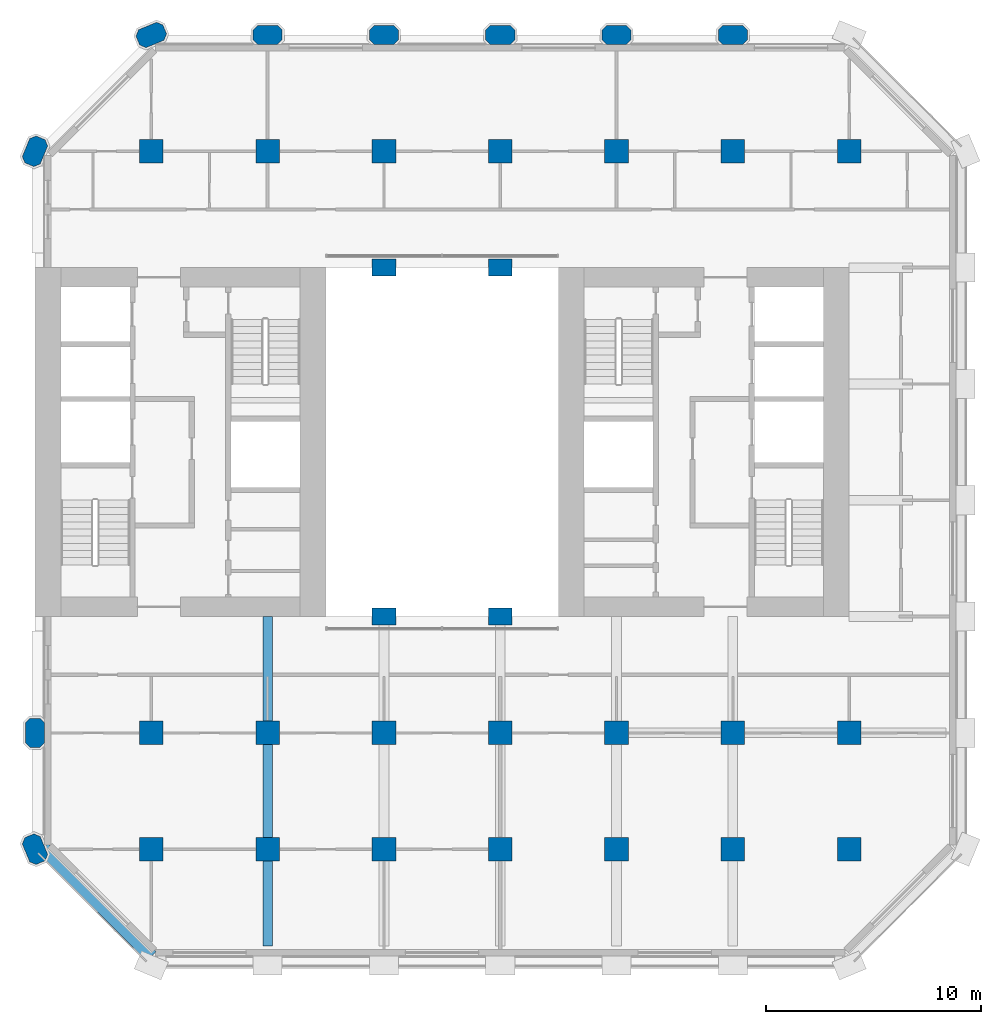
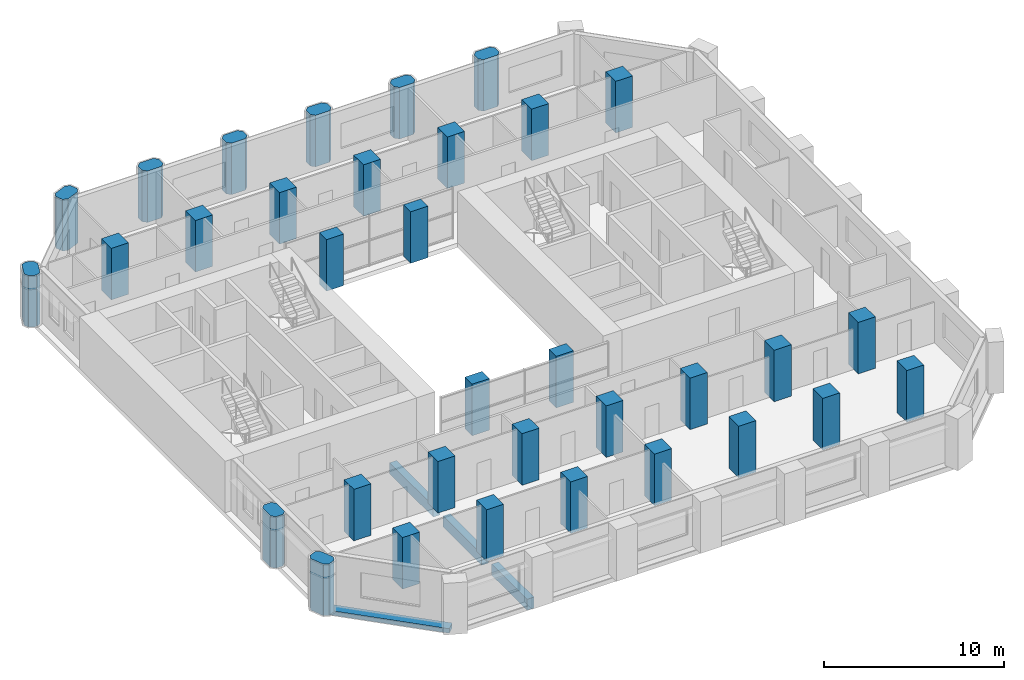
# One storey, part 1 of 13: 34 columns, 4 beams.
"""IFC4 building model written with IfcOpenShell, lengths in metres."""

import ifcopenshell
import ifcopenshell.guid

model = None  # the IFC model being written
_history = None  # IfcOwnerHistory: only IFC2X3 demands one
_inside = {}  # id of a spatial element -> (the spatial element, [elements in it])
_under = {}  # id of a project, library or spatial element -> (it, [spatial elements below it])
_declared = {}  # id of a project -> (the project, [libraries it declares])
_typed = {}  # id of a type object -> (the type object, [elements of that type])
_made_of = {}  # id of a material, layer set ... -> (it, [elements and type objects made of it])


def new_model(schema):
    """Start an empty IFC model of exactly this schema.

    Asked for "IFC4X3", IfcOpenShell would pick the latest addendum, in which some entities
    have other attributes; the version numbers below select the first issue.
    IFC2X3 requires an IfcOwnerHistory on every rooted entity: one is made here for all.
    """
    global model, _history
    if schema == "IFC4X3":
        model = ifcopenshell.file(schema_version=(4, 3, 0, 0))
    else:
        model = ifcopenshell.file(schema=schema)
    _inside.clear()
    _under.clear()
    _declared.clear()
    _typed.clear()
    _made_of.clear()
    _history = None
    if model.schema == "IFC2X3":
        org = make("IfcOrganization", Name="unknown")
        user = make(
            "IfcPersonAndOrganization",
            ThePerson=make("IfcPerson", FamilyName="unknown"),
            TheOrganization=org,
        )
        app = make(
            "IfcApplication",
            ApplicationDeveloper=org,
            Version="unknown",
            ApplicationFullName="unknown",
            ApplicationIdentifier="unknown",
        )
        _history = make(
            "IfcOwnerHistory",
            OwningUser=user,
            OwningApplication=app,
            ChangeAction="ADDED",
            CreationDate=0,
        )
    return model


def make(cls, **values):
    """One entity of the class cls with the attributes given. An attribute that is None is left unset."""
    return model.create_entity(
        cls, **{name: value for name, value in values.items() if value is not None}
    )


def rooted(cls, **values):
    """An entity with a GlobalId (a new one), such as an element, a storey or a relation."""
    return make(cls, GlobalId=ifcopenshell.guid.new(), OwnerHistory=_history, **values)


def si_unit(unit_type, name, prefix=None):
    """IfcSIUnit, for example si_unit("LENGTHUNIT", "METRE", prefix="MILLI")."""
    return make("IfcSIUnit", UnitType=unit_type, Prefix=prefix, Name=name)


def assignment(units):
    """IfcUnitAssignment: the units of a project."""
    return None if units is None else make("IfcUnitAssignment", Units=units)


def point(xyz):
    """IfcCartesianPoint."""
    return None if xyz is None else make("IfcCartesianPoint", Coordinates=xyz)


def direction(xyz):
    """IfcDirection."""
    return None if xyz is None else make("IfcDirection", DirectionRatios=xyz)


def frame(location, z_axis=None, x_axis=None):
    """IfcAxis2Placement3D, a coordinate frame: its origin and axes. An axis left out is left unset."""
    return make(
        "IfcAxis2Placement3D",
        Location=point(location),
        Axis=direction(z_axis),
        RefDirection=direction(x_axis),
    )


def frame_2d(location, x_axis=None):
    """IfcAxis2Placement2D, a coordinate frame in the plane: its origin and x axis."""
    return make(
        "IfcAxis2Placement2D", Location=point(location), RefDirection=direction(x_axis)
    )


def origin():
    """The frame at (0, 0, 0) with its axes left unset."""
    return frame((0.0, 0.0, 0.0))


def origin_2d():
    """The frame at (0, 0) in the plane with its x axis left unset."""
    return frame_2d((0.0, 0.0))


def place(relative_to, where):
    """IfcLocalPlacement: puts the frame where relative to a parent placement (None: the world)."""
    return make(
        "IfcLocalPlacement", PlacementRelTo=relative_to, RelativePlacement=where
    )


def context(
    kind, dimensions, precision=None, world=None, true_north=None, identifier=None
):
    """IfcGeometricRepresentationContext, for example the 3D "Model" context."""
    return make(
        "IfcGeometricRepresentationContext",
        ContextIdentifier=identifier,
        ContextType=kind,
        CoordinateSpaceDimension=dimensions,
        Precision=precision,
        WorldCoordinateSystem=world,
        TrueNorth=true_north,
    )


def subcontext(parent, identifier, kind, view, scale=None):
    """IfcGeometricRepresentationSubContext, for example "Body" below "Model"."""
    return make(
        "IfcGeometricRepresentationSubContext",
        ContextIdentifier=identifier,
        ContextType=kind,
        ParentContext=parent,
        TargetScale=scale,
        TargetView=view,
    )


def project(units=None, contexts=None):
    """IfcProject with its units and contexts."""
    return rooted(
        "IfcProject",
        Name="project",
        RepresentationContexts=contexts,
        UnitsInContext=assignment(units),
    )


def spatial(cls, under=None, at=None, **own):
    """A site, building, storey or space (cls), placed at a placement, below another one or the project."""
    s = rooted(cls, ObjectPlacement=at, **own)
    if under is not None:
        _under.setdefault(under.id(), (under, []))[1].append(s)
    return s


def polyline(points):
    """IfcPolyline through the points."""
    return make("IfcPolyline", Points=[point(p) for p in points])


def profile(cls, at=None, kind="AREA", **sizes):
    """A parametric profile (cls). Its sizes go by their IFC names, for example OverallWidth=200.0."""
    return make(cls, ProfileType=kind, Position=at, **sizes)


def rectangle(**sizes):
    """IfcRectangleProfileDef."""
    return profile("IfcRectangleProfileDef", **sizes)


def outline(outer, holes=None, kind="AREA"):
    """IfcArbitraryClosedProfileDef: a profile drawn as a closed curve; with holes, ...WithVoids."""
    if holes is None:
        return make("IfcArbitraryClosedProfileDef", ProfileType=kind, OuterCurve=outer)
    return make(
        "IfcArbitraryProfileDefWithVoids",
        ProfileType=kind,
        OuterCurve=outer,
        InnerCurves=holes,
    )


def extrude(swept, where, along, depth):
    """IfcExtrudedAreaSolid: the profile swept, set in the frame where, extruded along a direction by depth."""
    return make(
        "IfcExtrudedAreaSolid",
        SweptArea=swept,
        Position=where,
        ExtrudedDirection=direction(along),
        Depth=depth,
    )


def shape(context_of_items, identifier, shape_type, items):
    """IfcShapeRepresentation: the items that make up one representation, for example the "Body"."""
    return make(
        "IfcShapeRepresentation",
        ContextOfItems=context_of_items,
        RepresentationIdentifier=identifier,
        RepresentationType=shape_type,
        Items=items,
    )


def material(Name=None, Category=None):
    """IfcMaterial."""
    return make("IfcMaterial", Name=Name, Category=Category)


def material_profile(
    of_material, cross_section, Name=None, Category=None, Priority=None
):
    """IfcMaterialProfile: a cross section and its material."""
    return make(
        "IfcMaterialProfile",
        Name=Name,
        Material=of_material,
        Profile=cross_section,
        Priority=Priority,
        Category=Category,
    )


def profile_set(profiles, Name=None, composite=None):
    """IfcMaterialProfileSet."""
    return make(
        "IfcMaterialProfileSet",
        Name=Name,
        MaterialProfiles=profiles,
        CompositeProfile=composite,
    )


def made_of(thing, what):
    """Note that an element or type object is made of a material, layer set ...; save() writes the relation."""
    if what is not None:
        _made_of.setdefault(what.id(), (what, []))[1].append(thing)
    return thing


def type_object(cls, material=None, **own):
    """A type object (cls), such as IfcWallType, which elements share."""
    return made_of(rooted(cls, **own), material)


def element(
    cls,
    number,
    at=None,
    inside=None,
    cuts=None,
    type_object=None,
    material=None,
    context=None,
    identifier="Body",
    shape_type=None,
    held_by="IfcProductDefinitionShape",
    body=None,
    shapes=None,
    **own,
):
    """One element of the class cls, such as IfcWall. Its Tag is "e" and its number.

    at: its placement. inside: the storey or other place that contains it. cuts: it is an
    opening in that element (IfcRelVoidsElement). A single representation is given by context,
    identifier, shape_type and body (its items); several are given by shapes. held_by: the class
    of the entity that holds the representations. save() writes the other relations.
    """
    e = rooted(cls, Tag="e%d" % number, ObjectPlacement=at, **own)
    if body is not None:
        shapes = [shape(context, identifier, shape_type, body)]
    if shapes is not None:
        e.Representation = make(held_by, Representations=shapes)
    if inside is not None:
        _inside.setdefault(inside.id(), (inside, []))[1].append(e)
    if cuts is not None:
        rooted(
            "IfcRelVoidsElement", RelatingBuildingElement=cuts, RelatedOpeningElement=e
        )
    if type_object is not None:
        _typed.setdefault(type_object.id(), (type_object, []))[1].append(e)
    return made_of(e, material)


def aggregate(whole, parts):
    """IfcRelAggregates: a whole, such as a stair, and the parts it consists of."""
    return rooted("IfcRelAggregates", RelatingObject=whole, RelatedObjects=parts)


def save(model, path):
    """Write the relations noted so far, then the file.

    IfcRelAggregates (storeys below a building ...), IfcRelContainedInSpatialStructure (elements
    in a storey), IfcRelDefinesByType, IfcRelAssociatesMaterial and IfcRelDeclares: one each for
    every whole, place, type object, material and project.
    """
    for whole, parts in _under.values():
        aggregate(whole, parts)
    for where, things in _inside.values():
        rooted(
            "IfcRelContainedInSpatialStructure",
            RelatedElements=things,
            RelatingStructure=where,
        )
    for kind, things in _typed.values():
        rooted("IfcRelDefinesByType", RelatedObjects=things, RelatingType=kind)
    for what, things in _made_of.values():
        rooted("IfcRelAssociatesMaterial", RelatedObjects=things, RelatingMaterial=what)
    for by, libraries in _declared.values():
        rooted("IfcRelDeclares", RelatingContext=by, RelatedDefinitions=libraries)
    model.write(path)


model = new_model("IFC4")

# Units and contexts
model_context = context("Model", 3, precision=1e-05, world=origin(), true_north=direction((0.0, 1.0)))
body_context = subcontext(model_context, "Body", "Model", "MODEL_VIEW")
ifc_project = project(units=[si_unit("LENGTHUNIT", "METRE"), si_unit("AREAUNIT", "SQUARE_METRE"), si_unit("VOLUMEUNIT", "CUBIC_METRE"), si_unit("PLANEANGLEUNIT", "RADIAN"), si_unit("MASSUNIT", "GRAM", prefix="KILO")], contexts=[model_context])

# Site, building, storey
site_placement = place(None, origin())
site = spatial("IfcSite", under=ifc_project, at=site_placement, CompositionType="ELEMENT")
building_placement = place(site_placement, origin())
building = spatial("IfcBuilding", under=site, at=building_placement, Name="Tabaq Tower and Sports Hall", CompositionType="ELEMENT")
storey_placement = place(building_placement, frame((0.0, 0.0, 48.800048828125)))
storey = spatial("IfcBuildingStorey", under=building, at=storey_placement, Name="L10", CompositionType="ELEMENT", Elevation=48.800048828125)

# Columns
ifc_material_1 = material(Name="Concrete C60/75", Category="concrete")
ifc_material_profile_1 = material_profile(ifc_material_1, rectangle(XDim=1.10009765625, YDim=0.800048828125, at=origin_2d()), Name="ATRIUM COLUMN 1100x800")
ifc_profile_set_1 = profile_set([ifc_material_profile_1], Name="Concrete C60/75")
column_type_1 = type_object("IfcColumnType", Name="RC COLUMN ATRIUM COLUMN 1100x800 C60/75", PredefinedType="COLUMN", material=ifc_profile_set_1)
for number, where, z_axis, x_axis, name in (
    (1, (21.60009765625, 16.199951171875, 0.0), (0.0, 0.0, 1.0), (1.0, 0.0, 0.0), "Atrium Column 5/D L10"),
    (2, (27.0, 16.199951171875, 0.0), (0.0, 0.0, 1.0), (1.0, 0.0, 0.0), "Atrium Column 6/D L10"),
    (3, (21.60009765625, 32.39990234375, 0.0), (0.0, 0.0, 1.0), (1.0, 0.0, 0.0), "Atrium Column 5/G L10"),
    (4, (27.0, 32.39990234375, 0.0), (0.0, 0.0, 1.0), (1.0, 0.0, 0.0), "Atrium Column 6/G L10"),
):
    element("IfcColumn", number, at=place(storey_placement, frame(where, z_axis=z_axis, x_axis=x_axis)), inside=storey, type_object=column_type_1, Name=name, PredefinedType="COLUMN", context=body_context, shape_type="SweptSolid", body=[
        extrude(rectangle(XDim=1.10009765625, YDim=0.800048828125, at=origin_2d()), origin(), (0.0, 0.0, 1.0), 3.5),
    ])
ifc_material_2 = material(Name="Concrete C60/75", Category="concrete")
ifc_material_profile_2 = material_profile(ifc_material_2, rectangle(XDim=1.10009765625, YDim=1.10009765625, at=origin_2d()), Name="COLUMN 1100x1100")
ifc_profile_set_2 = profile_set([ifc_material_profile_2], Name="Concrete C60/75")
column_type_2 = type_object("IfcColumnType", Name="RC COLUMN COLUMN 1100x1100 C60/75", PredefinedType="COLUMN", material=ifc_profile_set_2)
for number, where, z_axis, x_axis, name in (
    (5, (10.800048828125, 5.39990234375, 0.0), (0.0, 0.0, 1.0), (1.0, 0.0, 0.0), "Column 3/B L10"),
    (6, (16.199951171875, 5.39990234375, 0.0), (0.0, 0.0, 1.0), (1.0, 0.0, 0.0), "Column 4/B L10"),
    (7, (21.60009765625, 5.39990234375, 0.0), (0.0, 0.0, 1.0), (1.0, 0.0, 0.0), "Column 5/B L10"),
    (8, (27.0, 5.39990234375, 0.0), (0.0, 0.0, 1.0), (1.0, 0.0, 0.0), "Column 6/B L10"),
    (9, (32.39990234375, 5.39990234375, 0.0), (0.0, 0.0, 1.0), (1.0, 0.0, 0.0), "Column 7/B L10"),
    (10, (37.800048828125, 5.39990234375, 0.0), (0.0, 0.0, 1.0), (1.0, 0.0, 0.0), "Column 8/B L10"),
    (11, (43.199951171875, 5.39990234375, 0.0), (0.0, 0.0, 1.0), (1.0, 0.0, 0.0), "Column 9/B L10"),
    (12, (10.800048828125, 10.800048828125, 0.0), (0.0, 0.0, 1.0), (1.0, 0.0, 0.0), "Column 3/C L10"),
    (13, (16.199951171875, 10.800048828125, 0.0), (0.0, 0.0, 1.0), (1.0, 0.0, 0.0), "Column 4/C L10"),
    (14, (21.60009765625, 10.800048828125, 0.0), (0.0, 0.0, 1.0), (1.0, 0.0, 0.0), "Column 5/C L10"),
    (15, (27.0, 10.800048828125, 0.0), (0.0, 0.0, 1.0), (1.0, 0.0, 0.0), "Column 6/C L10"),
    (16, (32.39990234375, 10.800048828125, 0.0), (0.0, 0.0, 1.0), (1.0, 0.0, 0.0), "Column 7/C L10"),
    (17, (37.800048828125, 10.800048828125, 0.0), (0.0, 0.0, 1.0), (1.0, 0.0, 0.0), "Column 8/C L10"),
    (18, (43.199951171875, 10.800048828125, 0.0), (0.0, 0.0, 1.0), (1.0, 0.0, 0.0), "Column 9/C L10"),
    (19, (10.800048828125, 37.800048828125, 0.0), (0.0, 0.0, 1.0), (1.0, 0.0, 0.0), "Column 3/H L10"),
    (20, (16.199951171875, 37.800048828125, 0.0), (0.0, 0.0, 1.0), (1.0, 0.0, 0.0), "Column 4/H L10"),
    (21, (21.60009765625, 37.800048828125, 0.0), (0.0, 0.0, 1.0), (1.0, 0.0, 0.0), "Column 5/H L10"),
    (22, (27.0, 37.800048828125, 0.0), (0.0, 0.0, 1.0), (1.0, 0.0, 0.0), "Column 6/H L10"),
    (23, (32.39990234375, 37.800048828125, 0.0), (0.0, 0.0, 1.0), (1.0, 0.0, 0.0), "Column 7/H L10"),
    (24, (37.800048828125, 37.800048828125, 0.0), (0.0, 0.0, 1.0), (1.0, 0.0, 0.0), "Column 8/H L10"),
    (25, (43.199951171875, 37.800048828125, 0.0), (0.0, 0.0, 1.0), (1.0, 0.0, 0.0), "Column 9/H L10"),
):
    element("IfcColumn", number, at=place(storey_placement, frame(where, z_axis=z_axis, x_axis=x_axis)), inside=storey, type_object=column_type_2, Name=name, PredefinedType="COLUMN", context=body_context, shape_type="SweptSolid", body=[
        extrude(rectangle(XDim=1.10009765625, YDim=1.10009765625, at=origin_2d()), origin(), (0.0, 0.0, 1.0), 3.5),
    ])
ifc_material_3 = material(Name="Concrete C60/75", Category="concrete")
ifc_material_profile_3 = material_profile(ifc_material_3, outline(polyline([(-0.449951171875, -0.449951171875), (0.449951171875, -0.449951171875), (0.675048828125, -0.22509765625), (0.675048828125, 0.22509765625), (0.449951171875, 0.449951171875), (-0.449951171875, 0.449951171875), (-0.675048828125, 0.22509765625), (-0.675048828125, -0.22509765625), (-0.449951171875, -0.449951171875)])), Name="PIER 1350x900")
ifc_profile_set_3 = profile_set([ifc_material_profile_3], Name="Concrete C60/75")
column_type_3 = type_object("IfcColumnType", Name="RC COLUMN PIER 1350x900 C60/75", PredefinedType="COLUMN", material=ifc_profile_set_3)
for number, where, z_axis, x_axis, name in (
    (26, (5.39990234375, 5.39990234375, 0.0), (0.0, 0.0, 1.0), (-0.382683432365, 0.923879532511, 0.0), "Pier 2/B L10"),
    (27, (5.39990234375, 10.800048828125, 0.0), (0.0, 0.0, 1.0), (0.0, 1.0, 0.0), "Pier 2/C L10"),
    (28, (5.39990234375, 37.800048828125, 0.0), (0.0, 0.0, 1.0), (0.382683432365, 0.923879532511, 0.0), "Pier 2/H L10"),
    (29, (10.800048828125, 43.199951171875, 0.0), (0.0, 0.0, 1.0), (0.923879532511, 0.382683432365, 0.0), "Pier 3/I L10"),
    (30, (16.199951171875, 43.199951171875, 0.0), (0.0, 0.0, 1.0), (1.0, 0.0, 0.0), "Pier 4/I L10"),
    (31, (21.60009765625, 43.199951171875, 0.0), (0.0, 0.0, 1.0), (1.0, 0.0, 0.0), "Pier 5/I L10"),
    (32, (27.0, 43.199951171875, 0.0), (0.0, 0.0, 1.0), (1.0, 0.0, 0.0), "Pier 6/I L10"),
    (33, (32.39990234375, 43.199951171875, 0.0), (0.0, 0.0, 1.0), (1.0, 0.0, 0.0), "Pier 7/I L10"),
    (34, (37.800048828125, 43.199951171875, 0.0), (0.0, 0.0, 1.0), (1.0, 0.0, 0.0), "Pier 8/I L10"),
):
    element("IfcColumn", number, at=place(storey_placement, frame(where, z_axis=z_axis, x_axis=x_axis)), inside=storey, type_object=column_type_3, Name=name, PredefinedType="COLUMN", context=body_context, shape_type="SweptSolid", body=[
        extrude(outline(polyline([(-0.449951171875, -0.449951171875), (0.449951171875, -0.449951171875), (0.675048828125, -0.22509765625), (0.675048828125, 0.22509765625), (0.449951171875, 0.449951171875), (-0.449951171875, 0.449951171875), (-0.675048828125, 0.22509765625), (-0.675048828125, -0.22509765625), (-0.449951171875, -0.449951171875)])), origin(), (0.0, 0.0, 1.0), 3.5),
    ])

# Beams
ifc_material_4 = material(Name="Concrete C40/50", Category="concrete")
ifc_material_profile_4 = material_profile(ifc_material_4, rectangle(XDim=0.449951171875, YDim=0.75, at=origin_2d()), Name="CB 450x750")
ifc_profile_set_4 = profile_set([ifc_material_profile_4], Name="Concrete C40/50")
beam_type_1 = type_object("IfcBeamType", Name="PT CANTILEVER BEAM CB 450x750 C40/50", PredefinedType="BEAM", material=ifc_profile_set_4)
beam_1_placement = place(storey_placement, frame((16.199951171875, 0.89990234375, -0.675048828125), z_axis=(0.0, 1.0, 0.0), x_axis=(-1.0, 0.0, 0.0)))
element("IfcBeam", 35, at=beam_1_placement, inside=storey, type_object=beam_type_1, Name="Cantilever Beam L10 S3 span 1", PredefinedType="BEAM", context=body_context, shape_type="SweptSolid", body=[
    extrude(rectangle(XDim=0.449951171875, YDim=0.75, at=origin_2d()), origin(), (0.0, 0.0, 1.0), 3.9501953125),
])
beam_2_placement = place(storey_placement, frame((16.199951171875, 5.949951171875, -0.675048828125), z_axis=(0.0, 1.0, 0.0), x_axis=(-1.0, 0.0, 0.0)))
element("IfcBeam", 36, at=beam_2_placement, inside=storey, type_object=beam_type_1, Name="Cantilever Beam L10 S3 span 2", PredefinedType="BEAM", context=body_context, shape_type="SweptSolid", body=[
    extrude(rectangle(XDim=0.449951171875, YDim=0.75, at=origin_2d()), origin(), (0.0, 0.0, 1.0), 4.300048828125),
])
beam_3_placement = place(storey_placement, frame((16.199951171875, 11.35009765625, -0.675048828125), z_axis=(0.0, 1.0, 0.0), x_axis=(-1.0, 0.0, 0.0)))
element("IfcBeam", 37, at=beam_3_placement, inside=storey, type_object=beam_type_1, Name="Cantilever Beam L10 S3 span 3", PredefinedType="BEAM", context=body_context, shape_type="SweptSolid", body=[
    extrude(rectangle(XDim=0.449951171875, YDim=0.75, at=origin_2d()), origin(), (0.0, 0.0, 1.0), 4.849853515625),
])
ifc_material_5 = material(Name="Concrete C40/50", Category="concrete")
ifc_material_profile_5 = material_profile(ifc_material_5, rectangle(XDim=0.60009765625, YDim=0.300048828125, at=origin_2d()), Name="EB 600x300")
ifc_profile_set_5 = profile_set([ifc_material_profile_5], Name="Concrete C40/50")
beam_type_2 = type_object("IfcBeamType", Name="PT EDGE BEAM EB 600x300 C40/50", PredefinedType="SPANDREL", material=ifc_profile_set_5)
beam_4_placement = place(storey_placement, frame((5.788818359375, 5.435302734375, -0.150146484375), z_axis=(0.707124002701, -0.707089559252, 0.0), x_axis=(0.707089559252, 0.707124002701, 0.0)))
element("IfcBeam", 38, at=beam_4_placement, inside=storey, type_object=beam_type_2, Name="Edge Beam L10 5", PredefinedType="SPANDREL", context=body_context, shape_type="SweptSolid", body=[
    extrude(rectangle(XDim=0.60009765625, YDim=0.300048828125, at=origin_2d()), origin(), (0.0, 0.0, 1.0), 7.088134765625),
])

save(model, "model.ifc")
